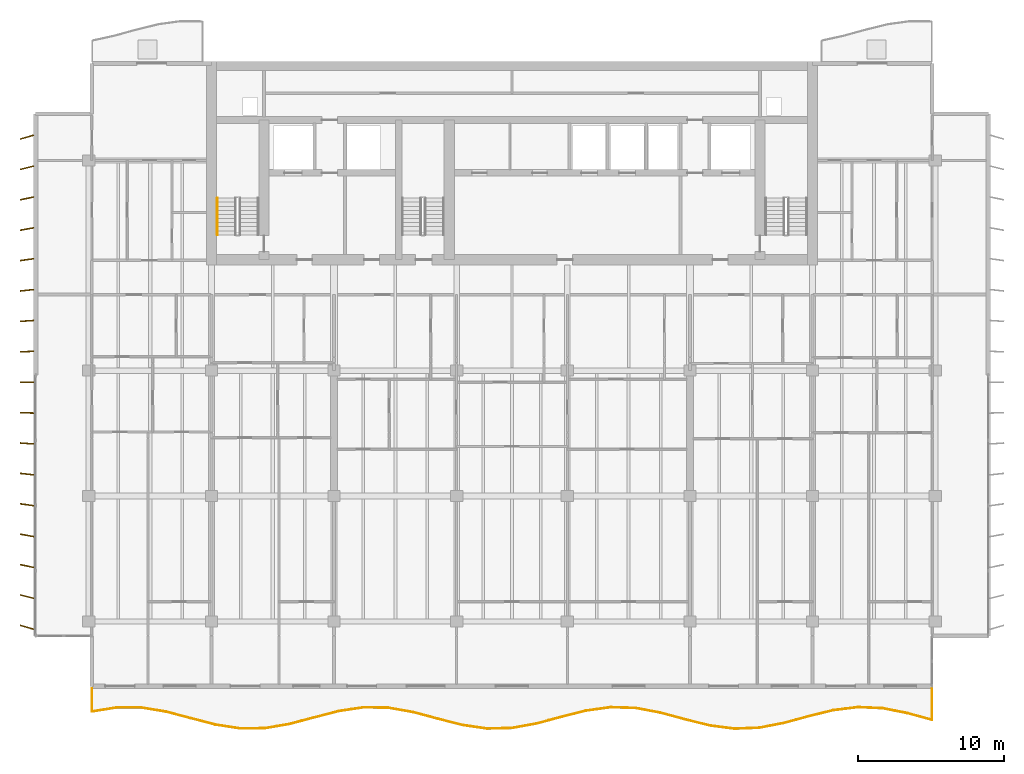
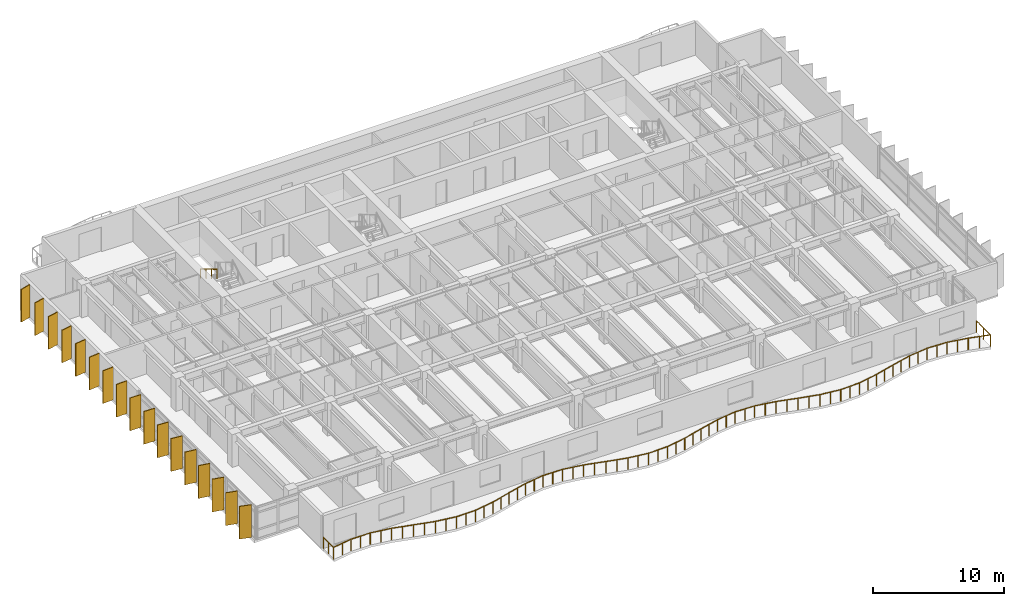
# One storey, part 15 of 18: 17 shading devices, 2 railings.
"""IFC4 building model written with IfcOpenShell, lengths in metres."""

from ifc_helpers import new_model, si_unit, direction, frame, origin, origin_2d, place, context, subcontext, project, spatial, rectangle, circle, extrude, material, material_profile, profile_set, type_object, element, save


model = new_model("IFC4")

# Units and contexts
model_context = context("Model", 3, precision=1e-05, world=origin(), true_north=direction((0.0, 1.0)))
body_context = subcontext(model_context, "Body", "Model", "MODEL_VIEW")
ifc_project = project(units=[si_unit("LENGTHUNIT", "METRE"), si_unit("AREAUNIT", "SQUARE_METRE"), si_unit("VOLUMEUNIT", "CUBIC_METRE"), si_unit("PLANEANGLEUNIT", "RADIAN"), si_unit("MASSUNIT", "GRAM", prefix="KILO")], contexts=[model_context])

# Site, building, storey
site_placement = place(None, origin())
site = spatial("IfcSite", under=ifc_project, at=site_placement, CompositionType="ELEMENT")
building_placement = place(site_placement, origin())
building = spatial("IfcBuilding", under=site, at=building_placement, Name="Caelmar Bay Residences", CompositionType="ELEMENT")
storey_placement = place(building_placement, frame((0.0, 0.0, 177.0)))
storey = spatial("IfcBuildingStorey", under=building, at=storey_placement, Name="L49", CompositionType="ELEMENT", Elevation=177.0)

# Railings
ifc_material_1 = material(Name="Anodised bronze handrail with laminated hurricane glass infill", Category="glass")
railing_type_1 = type_object("IfcRailingType", Name="RL-BAL-1100", PredefinedType="BALUSTRADE", material=ifc_material_1)
railing_1_placement = place(storey_placement, frame((10.10009765625, 7.60009765625, 0.0)))
element("IfcRailing", 1, at=railing_1_placement, inside=storey, type_object=railing_type_1, Name="L49 south Balcony Balustrade", PredefinedType="BALUSTRADE", context=body_context, shape_type="SweptSolid", body=[
    extrude(circle(Radius=0.02392578125, at=origin_2d()), frame((0.0, 0.0, 1.076171875), z_axis=(0.0, -1.0, 0.0), x_axis=(1.0, 0.0, 0.0)), (0.0, 0.0, 1.0), 1.579345703125),
    extrude(circle(Radius=0.02392578125, at=origin_2d()), frame((0.0, -1.579345703125, 1.076171875), z_axis=(0.987200688163, 0.159482918494, 0.0), x_axis=(-0.159482918494, 0.987200688163, 0.0)), (0.0, 0.0, 1.0), 1.716064453125),
    extrude(circle(Radius=0.02392578125, at=origin_2d()), frame((1.694091796875, -1.3056640625, 1.076171875), z_axis=(0.999997663546, -0.002161689718, 0.0), x_axis=(0.002161689718, 0.999997663546, 0.0)), (0.0, 0.0, 1.0), 1.694091796875),
    extrude(circle(Radius=0.02392578125, at=origin_2d()), frame((3.38818359375, -1.309326171875, 1.076171875), z_axis=(0.986657806254, -0.162807780395, 0.0), x_axis=(0.162807780395, 0.986657806254, 0.0)), (0.0, 0.0, 1.0), 1.717041015625),
    extrude(circle(Radius=0.02392578125, at=origin_2d()), frame((5.082275390625, -1.5888671875, 1.076171875), z_axis=(0.96690465537, -0.255137977228, 0.0), x_axis=(0.255137977228, 0.96690465537, 0.0)), (0.0, 0.0, 1.0), 1.752197265625),
    extrude(circle(Radius=0.02392578125, at=origin_2d()), frame((6.7763671875, -2.035888671875, 1.076171875), z_axis=(0.967759300858, -0.25187682625, 0.0), x_axis=(0.25187682625, 0.967759300858, 0.0)), (0.0, 0.0, 1.0), 1.75048828125),
    extrude(circle(Radius=0.02392578125, at=origin_2d()), frame((8.470458984375, -2.476806640625, 1.076171875), z_axis=(0.988103488903, -0.153790426288, 0.0), x_axis=(0.153790426288, 0.988103488903, 0.0)), (0.0, 0.0, 1.0), 1.714599609375),
    extrude(circle(Radius=0.02392578125, at=origin_2d()), frame((10.16455078125, -2.740478515625, 1.076171875), z_axis=(0.999954769162, 0.009511026771, 0.0), x_axis=(-0.009511026771, 0.999954769162, 0.0)), (0.0, 0.0, 1.0), 1.694091796875),
    extrude(circle(Radius=0.02392578125, at=origin_2d()), frame((11.858642578125, -2.724365234375, 1.076171875), z_axis=(0.985705945967, 0.168474888589, 0.0), x_axis=(-0.168474888589, 0.985705945967, 0.0)), (0.0, 0.0, 1.0), 1.71875),
    extrude(circle(Radius=0.02392578125, at=origin_2d()), frame((13.552734375, -2.434814453125, 1.076171875), z_axis=(0.966465688071, 0.256795782248, 0.0), x_axis=(-0.256795782248, 0.966465688071, 0.0)), (0.0, 0.0, 1.0), 1.753173828125),
    extrude(circle(Radius=0.02392578125, at=origin_2d()), frame((15.2470703125, -1.984619140625, 1.076171875), z_axis=(0.968335023776, 0.249654324475, 0.0), x_axis=(-0.249654324475, 0.968335023776, 0.0)), (0.0, 0.0, 1.0), 1.74951171875),
    extrude(circle(Radius=0.02392578125, at=origin_2d()), frame((16.941162109375, -1.5478515625, 1.076171875), z_axis=(0.989016707165, 0.147803764999, 0.0), x_axis=(-0.147803764999, 0.989016707165, 0.0)), (0.0, 0.0, 1.0), 1.712890625),
    extrude(circle(Radius=0.02392578125, at=origin_2d()), frame((18.63525390625, -1.294677734375, 1.076171875), z_axis=(0.99986029846, -0.016714770806, 0.0), x_axis=(0.016714770806, 0.99986029846, 0.0)), (0.0, 0.0, 1.0), 1.6943359375),
    extrude(circle(Radius=0.02392578125, at=origin_2d()), frame((20.329345703125, -1.322998046875, 1.076171875), z_axis=(0.984796414822, -0.173712467465, 0.0), x_axis=(0.173712467465, 0.984796414822, 0.0)), (0.0, 0.0, 1.0), 1.72021484375),
    extrude(circle(Radius=0.02392578125, at=origin_2d()), frame((22.0234375, -1.621826171875, 1.076171875), z_axis=(0.965971035188, -0.258650264214, 0.0), x_axis=(0.258650264214, 0.965971035188, 0.0)), (0.0, 0.0, 1.0), 1.753662109375),
    extrude(circle(Radius=0.02392578125, at=origin_2d()), frame((23.717529296875, -2.075439453125, 1.076171875), z_axis=(0.968973234248, -0.247165675835, 0.0), x_axis=(0.247165675835, 0.968973234248, 0.0)), (0.0, 0.0, 1.0), 1.748291015625),
    extrude(circle(Radius=0.02392578125, at=origin_2d()), frame((25.41162109375, -2.507568359375, 1.076171875), z_axis=(0.989875177467, -0.141940596855, 0.0), x_axis=(0.141940596855, 0.989875177467, 0.0)), (0.0, 0.0, 1.0), 1.71142578125),
    extrude(circle(Radius=0.02392578125, at=origin_2d()), frame((27.105712890625, -2.75048828125, 1.076171875), z_axis=(0.99971051867, 0.024059901516, 0.0), x_axis=(-0.024059901516, 0.99971051867, 0.0)), (0.0, 0.0, 1.0), 1.694580078125),
    extrude(circle(Radius=0.02392578125, at=origin_2d()), frame((28.7998046875, -2.709716796875, 1.076171875), z_axis=(0.983835864254, 0.179072589214, 0.0), x_axis=(-0.179072589214, 0.983835864254, 0.0)), (0.0, 0.0, 1.0), 1.721923828125),
    extrude(circle(Radius=0.02392578125, at=origin_2d()), frame((30.493896484375, -2.4013671875, 1.076171875), z_axis=(0.965587538221, 0.26007826905, 0.0), x_axis=(-0.26007826905, 0.965587538221, 0.0)), (0.0, 0.0, 1.0), 1.75439453125),
    extrude(circle(Radius=0.02392578125, at=origin_2d()), frame((32.18798828125, -1.945068359375, 1.076171875), z_axis=(0.96964737028, 0.244507622189, 0.0), x_axis=(-0.244507622189, 0.96964737028, 0.0)), (0.0, 0.0, 1.0), 1.747314453125),
    extrude(circle(Radius=0.02392578125, at=origin_2d()), frame((33.88232421875, -1.517822265625, 1.076171875), z_axis=(0.990719497926, 0.135922317629, 0.0), x_axis=(-0.135922317629, 0.990719497926, 0.0)), (0.0, 0.0, 1.0), 1.7099609375),
    extrude(circle(Radius=0.02392578125, at=origin_2d()), frame((35.576416015625, -1.285400390625, 1.076171875), z_axis=(0.999511373188, -0.031257237063, 0.0), x_axis=(0.031257237063, 0.999511373188, 0.0)), (0.0, 0.0, 1.0), 1.69482421875),
    extrude(circle(Radius=0.02392578125, at=origin_2d()), frame((37.2705078125, -1.33837890625, 1.076171875), z_axis=(0.982873790424, -0.1842799829, 0.0), x_axis=(0.1842799829, 0.982873790424, 0.0)), (0.0, 0.0, 1.0), 1.7236328125),
    extrude(circle(Radius=0.02392578125, at=origin_2d()), frame((38.964599609375, -1.656005859375, 1.076171875), z_axis=(0.965202237959, -0.261504569443, 0.0), x_axis=(0.261504569443, 0.965202237959, 0.0)), (0.0, 0.0, 1.0), 1.755126953125),
    extrude(circle(Radius=0.02392578125, at=origin_2d()), frame((40.65869140625, -2.114990234375, 1.076171875), z_axis=(0.970331396698, -0.241778784391, 0.0), x_axis=(0.241778784391, 0.970331396698, 0.0)), (0.0, 0.0, 1.0), 1.745849609375),
    extrude(circle(Radius=0.02392578125, at=origin_2d()), frame((42.352783203125, -2.537109375, 1.076171875), z_axis=(0.991586063992, -0.129449131697, 0.0), x_axis=(0.129449131697, 0.991586063992, 0.0)), (0.0, 0.0, 1.0), 1.708740234375),
    extrude(circle(Radius=0.02392578125, at=origin_2d()), frame((44.047119140625, -2.75830078125, 1.076171875), z_axis=(0.999260536356, 0.038449713677, 0.0), x_axis=(-0.038449713677, 0.999260536356, 0.0)), (0.0, 0.0, 1.0), 1.6953125),
    extrude(circle(Radius=0.02392578125, at=origin_2d()), frame((45.7412109375, -2.693115234375, 1.076171875), z_axis=(0.981938757923, 0.189199037231, 0.0), x_axis=(-0.189199037231, 0.981938757923, 0.0)), (0.0, 0.0, 1.0), 1.725341796875),
    extrude(circle(Radius=0.02392578125, at=origin_2d()), frame((47.435302734375, -2.36669921875, 1.076171875), z_axis=(0.964920891049, 0.262540804482, 0.0), x_axis=(-0.262540804482, 0.964920891049, 0.0)), (0.0, 0.0, 1.0), 1.755615234375),
    extrude(circle(Radius=0.02392578125, at=origin_2d()), frame((49.12939453125, -1.90576171875, 1.076171875), z_axis=(0.971049346553, 0.238878978897, 0.0), x_axis=(-0.238878978897, 0.971049346553, 0.0)), (0.0, 0.0, 1.0), 1.74462890625),
    extrude(circle(Radius=0.02392578125, at=origin_2d()), frame((50.823486328125, -1.489013671875, 1.076171875), z_axis=(0.992372197132, 0.123277825901, 0.0), x_axis=(-0.123277825901, 0.992372197132, 0.0)), (0.0, 0.0, 1.0), 1.70703125),
    extrude(circle(Radius=0.02392578125, at=origin_2d()), frame((52.517578125, -1.278564453125, 1.076171875), z_axis=(0.998958124993, -0.045636219286, 0.0), x_axis=(0.045636219286, 0.998958124993, 0.0)), (0.0, 0.0, 1.0), 1.69580078125),
    extrude(circle(Radius=0.02392578125, at=origin_2d()), frame((54.211669921875, -1.35595703125, 1.076171875), z_axis=(0.98098097861, -0.194103888692, 0.0), x_axis=(0.194103888692, 0.98098097861, 0.0)), (0.0, 0.0, 1.0), 1.72705078125),
    extrude(circle(Radius=0.02392578125, at=origin_2d()), frame((55.90576171875, -1.691162109375, 1.076171875), z_axis=(0.964638596913, -0.263576131971, 0.0), x_axis=(0.263576131971, 0.964638596913, 0.0)), (0.0, 0.0, 1.0), 1.756103515625),
    extrude(circle(Radius=0.02392578125, at=origin_2d()), frame((57.599853515625, -2.154052734375, 1.076171875), z_axis=(0.0, 1.0, 0.0), x_axis=(-1.0, 0.0, 0.0)), (0.0, 0.0, 1.0), 2.154052734375),
    extrude(circle(Radius=0.02099609375, at=origin_2d()), origin(), (0.0, 0.0, 1.0), 1.052001953125),
    extrude(circle(Radius=0.02099609375, at=origin_2d()), frame((0.0, -0.78955078125, 0.0)), (0.0, 0.0, 1.0), 1.052001953125),
    extrude(circle(Radius=0.02099609375, at=origin_2d()), frame((0.0, -1.579345703125, 0.0)), (0.0, 0.0, 1.0), 1.052001953125),
    extrude(circle(Radius=0.02099609375, at=origin_2d()), frame((0.84716796875, -1.4423828125, 0.0)), (0.0, 0.0, 1.0), 1.052001953125),
    extrude(circle(Radius=0.02099609375, at=origin_2d()), frame((1.694091796875, -1.3056640625, 0.0)), (0.0, 0.0, 1.0), 1.052001953125),
    extrude(circle(Radius=0.02099609375, at=origin_2d()), frame((2.541015625, -1.3076171875, 0.0)), (0.0, 0.0, 1.0), 1.052001953125),
    extrude(circle(Radius=0.02099609375, at=origin_2d()), frame((3.38818359375, -1.309326171875, 0.0)), (0.0, 0.0, 1.0), 1.052001953125),
    extrude(circle(Radius=0.02099609375, at=origin_2d()), frame((4.2353515625, -1.44921875, 0.0)), (0.0, 0.0, 1.0), 1.052001953125),
    extrude(circle(Radius=0.02099609375, at=origin_2d()), frame((5.082275390625, -1.5888671875, 0.0)), (0.0, 0.0, 1.0), 1.052001953125),
    extrude(circle(Radius=0.02099609375, at=origin_2d()), frame((5.92919921875, -1.8125, 0.0)), (0.0, 0.0, 1.0), 1.052001953125),
    extrude(circle(Radius=0.02099609375, at=origin_2d()), frame((6.7763671875, -2.035888671875, 0.0)), (0.0, 0.0, 1.0), 1.052001953125),
    extrude(circle(Radius=0.02099609375, at=origin_2d()), frame((7.62353515625, -2.25634765625, 0.0)), (0.0, 0.0, 1.0), 1.052001953125),
    extrude(circle(Radius=0.02099609375, at=origin_2d()), frame((8.470458984375, -2.476806640625, 0.0)), (0.0, 0.0, 1.0), 1.052001953125),
    extrude(circle(Radius=0.02099609375, at=origin_2d()), frame((9.3173828125, -2.608642578125, 0.0)), (0.0, 0.0, 1.0), 1.052001953125),
    extrude(circle(Radius=0.02099609375, at=origin_2d()), frame((10.16455078125, -2.740478515625, 0.0)), (0.0, 0.0, 1.0), 1.052001953125),
    extrude(circle(Radius=0.02099609375, at=origin_2d()), frame((11.01171875, -2.732421875, 0.0)), (0.0, 0.0, 1.0), 1.052001953125),
    extrude(circle(Radius=0.02099609375, at=origin_2d()), frame((11.858642578125, -2.724365234375, 0.0)), (0.0, 0.0, 1.0), 1.052001953125),
    extrude(circle(Radius=0.02099609375, at=origin_2d()), frame((12.70556640625, -2.57958984375, 0.0)), (0.0, 0.0, 1.0), 1.052001953125),
    extrude(circle(Radius=0.02099609375, at=origin_2d()), frame((13.552734375, -2.434814453125, 0.0)), (0.0, 0.0, 1.0), 1.052001953125),
    extrude(circle(Radius=0.02099609375, at=origin_2d()), frame((14.39990234375, -2.209716796875, 0.0)), (0.0, 0.0, 1.0), 1.052001953125),
    extrude(circle(Radius=0.02099609375, at=origin_2d()), frame((15.2470703125, -1.984619140625, 0.0)), (0.0, 0.0, 1.0), 1.052001953125),
    extrude(circle(Radius=0.02099609375, at=origin_2d()), frame((16.09423828125, -1.76611328125, 0.0)), (0.0, 0.0, 1.0), 1.052001953125),
    extrude(circle(Radius=0.02099609375, at=origin_2d()), frame((16.941162109375, -1.5478515625, 0.0)), (0.0, 0.0, 1.0), 1.052001953125),
    extrude(circle(Radius=0.02099609375, at=origin_2d()), frame((17.7880859375, -1.42138671875, 0.0)), (0.0, 0.0, 1.0), 1.052001953125),
    extrude(circle(Radius=0.02099609375, at=origin_2d()), frame((18.63525390625, -1.294677734375, 0.0)), (0.0, 0.0, 1.0), 1.052001953125),
    extrude(circle(Radius=0.02099609375, at=origin_2d()), frame((19.482421875, -1.308837890625, 0.0)), (0.0, 0.0, 1.0), 1.052001953125),
    extrude(circle(Radius=0.02099609375, at=origin_2d()), frame((20.329345703125, -1.322998046875, 0.0)), (0.0, 0.0, 1.0), 1.052001953125),
    extrude(circle(Radius=0.02099609375, at=origin_2d()), frame((21.17626953125, -1.472412109375, 0.0)), (0.0, 0.0, 1.0), 1.052001953125),
    extrude(circle(Radius=0.02099609375, at=origin_2d()), frame((22.0234375, -1.621826171875, 0.0)), (0.0, 0.0, 1.0), 1.052001953125),
    extrude(circle(Radius=0.02099609375, at=origin_2d()), frame((22.87060546875, -1.8486328125, 0.0)), (0.0, 0.0, 1.0), 1.052001953125),
    extrude(circle(Radius=0.02099609375, at=origin_2d()), frame((23.717529296875, -2.075439453125, 0.0)), (0.0, 0.0, 1.0), 1.052001953125),
    extrude(circle(Radius=0.02099609375, at=origin_2d()), frame((24.564453125, -2.29150390625, 0.0)), (0.0, 0.0, 1.0), 1.052001953125),
    extrude(circle(Radius=0.02099609375, at=origin_2d()), frame((25.41162109375, -2.507568359375, 0.0)), (0.0, 0.0, 1.0), 1.052001953125),
    extrude(circle(Radius=0.02099609375, at=origin_2d()), frame((26.2587890625, -2.62890625, 0.0)), (0.0, 0.0, 1.0), 1.052001953125),
    extrude(circle(Radius=0.02099609375, at=origin_2d()), frame((27.105712890625, -2.75048828125, 0.0)), (0.0, 0.0, 1.0), 1.052001953125),
    extrude(circle(Radius=0.02099609375, at=origin_2d()), frame((27.95263671875, -2.72998046875, 0.0)), (0.0, 0.0, 1.0), 1.052001953125),
    extrude(circle(Radius=0.02099609375, at=origin_2d()), frame((28.7998046875, -2.709716796875, 0.0)), (0.0, 0.0, 1.0), 1.052001953125),
    extrude(circle(Radius=0.02099609375, at=origin_2d()), frame((29.64697265625, -2.5556640625, 0.0)), (0.0, 0.0, 1.0), 1.052001953125),
    extrude(circle(Radius=0.02099609375, at=origin_2d()), frame((30.493896484375, -2.4013671875, 0.0)), (0.0, 0.0, 1.0), 1.052001953125),
    extrude(circle(Radius=0.02099609375, at=origin_2d()), frame((31.3408203125, -2.17333984375, 0.0)), (0.0, 0.0, 1.0), 1.052001953125),
    extrude(circle(Radius=0.02099609375, at=origin_2d()), frame((32.18798828125, -1.945068359375, 0.0)), (0.0, 0.0, 1.0), 1.052001953125),
    extrude(circle(Radius=0.02099609375, at=origin_2d()), frame((33.03515625, -1.7314453125, 0.0)), (0.0, 0.0, 1.0), 1.052001953125),
    extrude(circle(Radius=0.02099609375, at=origin_2d()), frame((33.88232421875, -1.517822265625, 0.0)), (0.0, 0.0, 1.0), 1.052001953125),
    extrude(circle(Radius=0.02099609375, at=origin_2d()), frame((34.7294921875, -1.401611328125, 0.0)), (0.0, 0.0, 1.0), 1.052001953125),
    extrude(circle(Radius=0.02099609375, at=origin_2d()), frame((35.576416015625, -1.285400390625, 0.0)), (0.0, 0.0, 1.0), 1.052001953125),
    extrude(circle(Radius=0.02099609375, at=origin_2d()), frame((36.42333984375, -1.31201171875, 0.0)), (0.0, 0.0, 1.0), 1.052001953125),
    extrude(circle(Radius=0.02099609375, at=origin_2d()), frame((37.2705078125, -1.33837890625, 0.0)), (0.0, 0.0, 1.0), 1.052001953125),
    extrude(circle(Radius=0.02099609375, at=origin_2d()), frame((38.11767578125, -1.4970703125, 0.0)), (0.0, 0.0, 1.0), 1.052001953125),
    extrude(circle(Radius=0.02099609375, at=origin_2d()), frame((38.964599609375, -1.656005859375, 0.0)), (0.0, 0.0, 1.0), 1.052001953125),
    extrude(circle(Radius=0.02099609375, at=origin_2d()), frame((39.8115234375, -1.885498046875, 0.0)), (0.0, 0.0, 1.0), 1.052001953125),
    extrude(circle(Radius=0.02099609375, at=origin_2d()), frame((40.65869140625, -2.114990234375, 0.0)), (0.0, 0.0, 1.0), 1.052001953125),
    extrude(circle(Radius=0.02099609375, at=origin_2d()), frame((41.505859375, -2.326171875, 0.0)), (0.0, 0.0, 1.0), 1.052001953125),
    extrude(circle(Radius=0.02099609375, at=origin_2d()), frame((42.352783203125, -2.537109375, 0.0)), (0.0, 0.0, 1.0), 1.052001953125),
    extrude(circle(Radius=0.02099609375, at=origin_2d()), frame((43.199951171875, -2.647705078125, 0.0)), (0.0, 0.0, 1.0), 1.052001953125),
    extrude(circle(Radius=0.02099609375, at=origin_2d()), frame((44.047119140625, -2.75830078125, 0.0)), (0.0, 0.0, 1.0), 1.052001953125),
    extrude(circle(Radius=0.02099609375, at=origin_2d()), frame((44.89404296875, -2.7255859375, 0.0)), (0.0, 0.0, 1.0), 1.052001953125),
    extrude(circle(Radius=0.02099609375, at=origin_2d()), frame((45.7412109375, -2.693115234375, 0.0)), (0.0, 0.0, 1.0), 1.052001953125),
    extrude(circle(Radius=0.02099609375, at=origin_2d()), frame((46.58837890625, -2.52978515625, 0.0)), (0.0, 0.0, 1.0), 1.052001953125),
    extrude(circle(Radius=0.02099609375, at=origin_2d()), frame((47.435302734375, -2.36669921875, 0.0)), (0.0, 0.0, 1.0), 1.052001953125),
    extrude(circle(Radius=0.02099609375, at=origin_2d()), frame((48.2822265625, -2.13623046875, 0.0)), (0.0, 0.0, 1.0), 1.052001953125),
    extrude(circle(Radius=0.02099609375, at=origin_2d()), frame((49.12939453125, -1.90576171875, 0.0)), (0.0, 0.0, 1.0), 1.052001953125),
    extrude(circle(Radius=0.02099609375, at=origin_2d()), frame((49.9765625, -1.697265625, 0.0)), (0.0, 0.0, 1.0), 1.052001953125),
    extrude(circle(Radius=0.02099609375, at=origin_2d()), frame((50.823486328125, -1.489013671875, 0.0)), (0.0, 0.0, 1.0), 1.052001953125),
    extrude(circle(Radius=0.02099609375, at=origin_2d()), frame((51.67041015625, -1.3837890625, 0.0)), (0.0, 0.0, 1.0), 1.052001953125),
    extrude(circle(Radius=0.02099609375, at=origin_2d()), frame((52.517578125, -1.278564453125, 0.0)), (0.0, 0.0, 1.0), 1.052001953125),
    extrude(circle(Radius=0.02099609375, at=origin_2d()), frame((53.36474609375, -1.3173828125, 0.0)), (0.0, 0.0, 1.0), 1.052001953125),
    extrude(circle(Radius=0.02099609375, at=origin_2d()), frame((54.211669921875, -1.35595703125, 0.0)), (0.0, 0.0, 1.0), 1.052001953125),
    extrude(circle(Radius=0.02099609375, at=origin_2d()), frame((55.05859375, -1.5234375, 0.0)), (0.0, 0.0, 1.0), 1.052001953125),
    extrude(circle(Radius=0.02099609375, at=origin_2d()), frame((55.90576171875, -1.691162109375, 0.0)), (0.0, 0.0, 1.0), 1.052001953125),
    extrude(circle(Radius=0.02099609375, at=origin_2d()), frame((56.7529296875, -1.922607421875, 0.0)), (0.0, 0.0, 1.0), 1.052001953125),
    extrude(circle(Radius=0.02099609375, at=origin_2d()), frame((57.599853515625, -2.154052734375, 0.0)), (0.0, 0.0, 1.0), 1.052001953125),
    extrude(circle(Radius=0.02099609375, at=origin_2d()), frame((57.599853515625, -1.0771484375, 0.0)), (0.0, 0.0, 1.0), 1.052001953125),
    extrude(circle(Radius=0.02099609375, at=origin_2d()), frame((57.599853515625, 0.0, 0.0)), (0.0, 0.0, 1.0), 1.052001953125),
])
ifc_material_2 = material(Name="Brushed bronze stainless-steel tubular handrail 900 mm", Category="steel")
railing_type_2 = type_object("IfcRailingType", Name="RL-HND-900", PredefinedType="HANDRAIL", material=ifc_material_2)
railing_2_placement = place(storey_placement, frame((18.699951171875, 41.219970703125, 1.81494140625)))
element("IfcRailing", 2, at=railing_2_placement, inside=storey, type_object=railing_type_2, Name="L49 ST1 stair handrail 2", PredefinedType="HANDRAIL", context=body_context, shape_type="SweptSolid", body=[
    extrude(circle(Radius=0.02392578125, at=origin_2d()), frame((0.0, 0.0, 0.8759765625), z_axis=(0.0, -0.86152411907, 0.507716645641), x_axis=(1.0, 0.0, 0.0)), (0.0, 0.0, 1.0), 2.925048828125),
    extrude(circle(Radius=0.02099609375, at=origin_2d()), origin(), (0.0, 0.0, 1.0), 0.851806640625),
    extrude(circle(Radius=0.02099609375, at=origin_2d()), frame((0.0, -0.840087890625, 0.4951171875)), (0.0, 0.0, 1.0), 0.851806640625),
    extrude(circle(Radius=0.02099609375, at=origin_2d()), frame((0.0, -1.679931640625, 0.989990234375)), (0.0, 0.0, 1.0), 0.851806640625),
    extrude(circle(Radius=0.02099609375, at=origin_2d()), frame((0.0, -2.52001953125, 1.485107421875)), (0.0, 0.0, 1.0), 0.851806640625),
])

# Shading devices
ifc_material_3 = material(Name="Anodised architectural bronze aluminium 6063-T6", Category="aluminium")
ifc_material_profile = material_profile(ifc_material_3, rectangle(XDim=0.074951171875, YDim=0.949951171875, at=origin_2d()), Name="BRONZE-FIN-75X950")
ifc_profile_set = profile_set([ifc_material_profile], Name="Anodised architectural bronze aluminium 6063-T6")
shading_device_type = type_object("IfcShadingDeviceType", Name="SHD-FIN-950", PredefinedType="USERDEFINED", material=ifc_profile_set)
for number, where, z_axis, x_axis, name in (
    (3, (5.64990234375, 11.800048828125, 0.0), (0.0, 0.0, 1.0), (0.275637355817, 0.961261695938, 0.0), "L49 West Bronze Solar Fin 1"),
    (4, (5.64990234375, 13.89990234375, 0.0), (0.0, 0.0, 1.0), (0.2419218956, 0.970295726276, 0.0), "L49 West Bronze Solar Fin 2"),
    (5, (5.64990234375, 16.0, 0.0), (0.0, 0.0, 1.0), (0.207911690818, 0.978147600734, 0.0), "L49 West Bronze Solar Fin 3"),
    (6, (5.64990234375, 18.10009765625, 0.0), (0.0, 0.0, 1.0), (0.173648177667, 0.984807753012, 0.0), "L49 West Bronze Solar Fin 4"),
    (7, (5.64990234375, 20.199951171875, 0.0), (0.0, 0.0, 1.0), (0.13917310096, 0.990268068742, 0.0), "L49 West Bronze Solar Fin 5"),
    (8, (5.64990234375, 22.300048828125, 0.0), (0.0, 0.0, 1.0), (0.104528463268, 0.994521895368, 0.0), "L49 West Bronze Solar Fin 6"),
    (9, (5.64990234375, 24.39990234375, 0.0), (0.0, 0.0, 1.0), (0.069756473744, 0.99756405026, 0.0), "L49 West Bronze Solar Fin 7"),
    (10, (5.64990234375, 26.5, 0.0), (0.0, 0.0, 1.0), (0.034899496703, 0.999390827019, 0.0), "L49 West Bronze Solar Fin 8"),
    (11, (5.64990234375, 28.60009765625, 0.0), (0.0, 0.0, 1.0), (0.0, 1.0, 0.0), "L49 West Bronze Solar Fin 9"),
    (12, (5.64990234375, 30.699951171875, 0.0), (0.0, 0.0, 1.0), (-0.034899496703, 0.999390827019, 0.0), "L49 West Bronze Solar Fin 10"),
    (13, (5.64990234375, 32.800048828125, 0.0), (0.0, 0.0, 1.0), (-0.069756473744, 0.99756405026, 0.0), "L49 West Bronze Solar Fin 11"),
    (14, (5.64990234375, 34.89990234375, 0.0), (0.0, 0.0, 1.0), (-0.104528463268, 0.994521895368, 0.0), "L49 West Bronze Solar Fin 12"),
    (15, (5.64990234375, 37.0, 0.0), (0.0, 0.0, 1.0), (-0.13917310096, 0.990268068742, 0.0), "L49 West Bronze Solar Fin 13"),
    (16, (5.64990234375, 39.10009765625, 0.0), (0.0, 0.0, 1.0), (-0.173648177667, 0.984807753012, 0.0), "L49 West Bronze Solar Fin 14"),
    (17, (5.64990234375, 41.199951171875, 0.0), (0.0, 0.0, 1.0), (-0.207911690818, 0.978147600734, 0.0), "L49 West Bronze Solar Fin 15"),
    (18, (5.64990234375, 43.300048828125, 0.0), (0.0, 0.0, 1.0), (-0.2419218956, 0.970295726276, 0.0), "L49 West Bronze Solar Fin 16"),
    (19, (5.64990234375, 45.39990234375, 0.0), (0.0, 0.0, 1.0), (-0.275637355817, 0.961261695938, 0.0), "L49 West Bronze Solar Fin 17"),
):
    element("IfcShadingDevice", number, at=place(storey_placement, frame(where, z_axis=z_axis, x_axis=x_axis)), inside=storey, type_object=shading_device_type, Name=name, ObjectType="FIN", PredefinedType="USERDEFINED", context=body_context, shape_type="SweptSolid", body=[
        extrude(rectangle(XDim=0.074951171875, YDim=0.949951171875, at=origin_2d()), origin(), (0.0, 0.0, 1.0), 3.050048828125),
    ])

save(model, "model.ifc")
